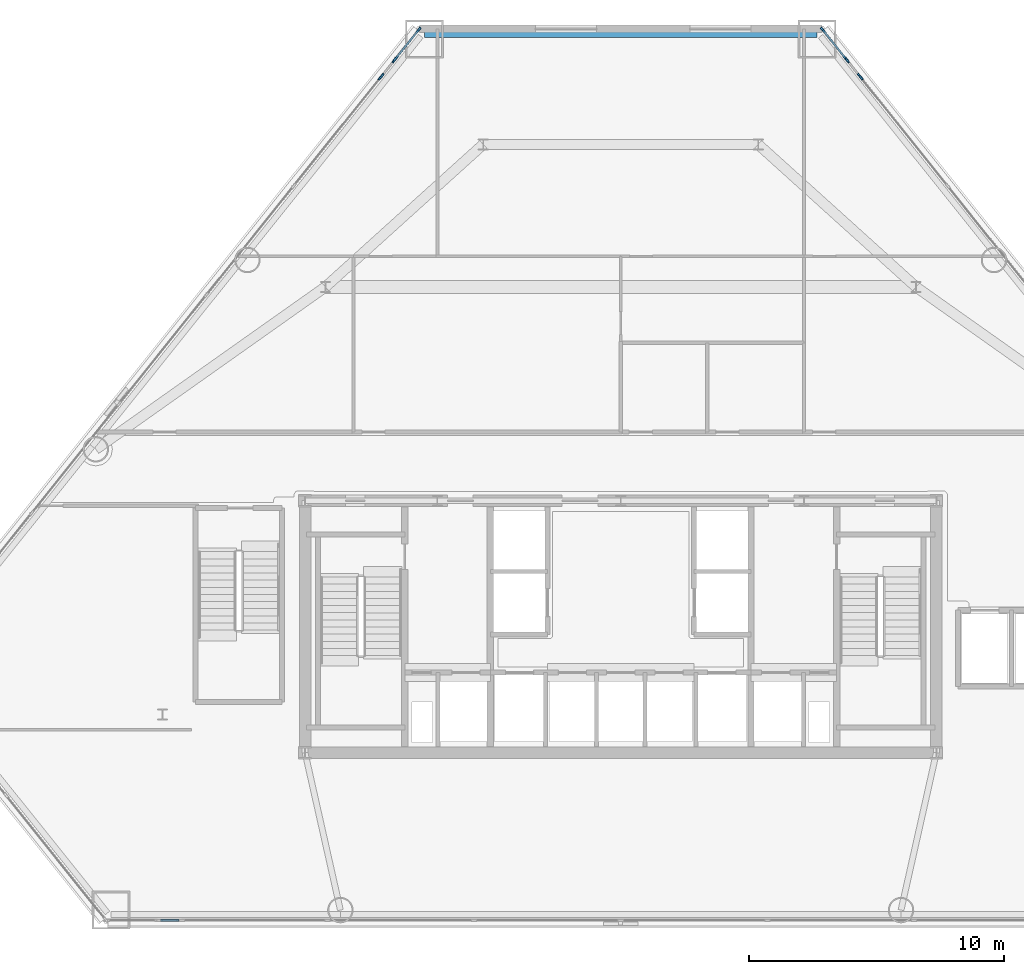
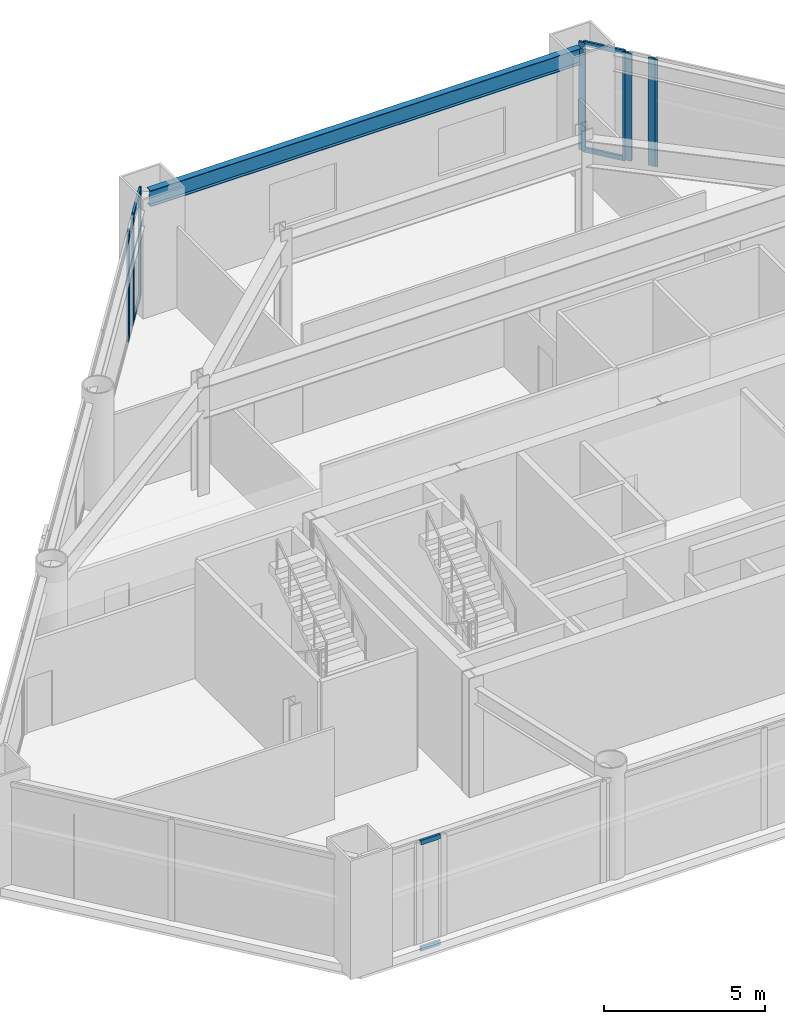
# One storey, part 6 of 13: 16 members, 1 beam, 7 elements without a shape of their own.
"""IFC4 building model written with IfcOpenShell, lengths in metres."""

from ifc_helpers import new_model, si_unit, direction, frame, origin, origin_2d, place, context, subcontext, project, spatial, rectangle, i_section, extrude, material, layer, layer_set, material_profile, profile_set, type_object, element, aggregate, save


model = new_model("IFC4")

# Units and contexts
model_context = context("Model", 3, precision=1e-05, world=origin(), true_north=direction((0.0, 1.0)))
body_context = subcontext(model_context, "Body", "Model", "MODEL_VIEW")
ifc_project = project(units=[si_unit("LENGTHUNIT", "METRE"), si_unit("AREAUNIT", "SQUARE_METRE"), si_unit("VOLUMEUNIT", "CUBIC_METRE"), si_unit("PLANEANGLEUNIT", "RADIAN"), si_unit("MASSUNIT", "GRAM", prefix="KILO")], contexts=[model_context])

# Site, building, storey
site_placement = place(None, origin())
site = spatial("IfcSite", under=ifc_project, at=site_placement, CompositionType="ELEMENT")
building_placement = place(site_placement, origin())
building = spatial("IfcBuilding", under=site, at=building_placement, Name="Talgorran Terracotta Tower", CompositionType="ELEMENT")
storey_placement = place(building_placement, frame((0.0, 0.0, 14.39990234375)))
storey = spatial("IfcBuildingStorey", under=building, at=storey_placement, Name="L03", CompositionType="ELEMENT", Elevation=14.39990234375)

# Beam
ifc_material_1 = material(Name="Steel S355 (300PLUS)", Category="steel")
ifc_material_profile_1 = material_profile(ifc_material_1, i_section(OverallWidth=0.22900390625, OverallDepth=0.611572265625, WebThickness=0.011962890625, FlangeThickness=0.01953125, at=origin_2d()), Name="610UB125")
ifc_profile_set_1 = profile_set([ifc_material_profile_1], Name="Steel S355 (300PLUS)")
beam_type = type_object("IfcBeamType", Name="BM_SP_610UB125", PredefinedType="SPANDREL", material=ifc_profile_set_1)
beam_placement = place(storey_placement, frame((7.714111328125, 14.115966796875, 3.794189453125), z_axis=(-1.0, 0.0, 0.0), x_axis=(0.0, -1.0, 0.0)))
element("IfcBeam", 1, at=beam_placement, inside=storey, type_object=beam_type, Name="L03 Perimeter Spandrel Beam MC5-MC6", PredefinedType="SPANDREL", context=body_context, shape_type="SweptSolid", body=[
    extrude(i_section(OverallWidth=0.22900390625, OverallDepth=0.611572265625, WebThickness=0.011962890625, FlangeThickness=0.01953125, at=origin_2d()), origin(), (0.0, 0.0, 1.0), 15.42822265625),
])

# Curtain wall, member
ifc_material_2 = material(Name="Terracotta and Low-E Glazing", Category="masonry")
ifc_layer = layer(ifc_material_2, 0.219970703125, Name="CW_SYS1_PODIUM")
ifc_layer_set = layer_set([ifc_layer], Name="Terracotta and Low-E Glazing")
curtain_wall_type = type_object("IfcCurtainWallType", Name="CW_SYS1_PODIUM", PredefinedType="NOTDEFINED", material=ifc_layer_set)
curtain_wall_1_placement = place(storey_placement, origin())
curtain_wall_1 = element("IfcCurtainWall", 2, at=curtain_wall_1_placement, inside=storey, type_object=curtain_wall_type, Name="CW-L03-F3C", PredefinedType="NOTDEFINED")
ifc_material_3 = material(Name="Architectural Aluminium 6063-T6", Category="aluminium")
ifc_material_profile_2 = material_profile(ifc_material_3, rectangle(XDim=0.074951171875, YDim=0.219970703125, at=origin_2d()), Name="CWM75X220")
ifc_profile_set_2 = profile_set([ifc_material_profile_2], Name="Architectural Aluminium 6063-T6")
member_type_1 = type_object("IfcMemberType", Name="MUL_75X220", PredefinedType="MULLION", material=ifc_profile_set_2)
member_1_placement = place(storey_placement, frame((9.43701171875, 12.425048828125, 0.0), z_axis=(0.0, 0.0, 1.0), x_axis=(-0.780531295105, -0.625116706993, 0.0)))
member_1 = element("IfcMember", 3, at=member_1_placement, type_object=member_type_1, Name="CW-L03-3C mullion 6", PredefinedType="MULLION", context=body_context, shape_type="SweptSolid", body=[
    extrude(rectangle(XDim=0.074951171875, YDim=0.219970703125, at=origin_2d()), origin(), (0.0, 0.0, 1.0), 4.10009765625),
])
aggregate(curtain_wall_1, [member_1])

# Curtain wall, members
curtain_wall_2_placement = place(storey_placement, origin())
curtain_wall_2 = element("IfcCurtainWall", 4, at=curtain_wall_2_placement, inside=storey, type_object=curtain_wall_type, Name="CW-L03-F3D", PredefinedType="NOTDEFINED")
member_2_placement = place(storey_placement, frame((9.3837890625, 12.4912109375, 0.0), z_axis=(0.0, 0.0, 1.0), x_axis=(-0.780512154045, -0.625140606095, 0.0)))
member_2 = element("IfcMember", 5, at=member_2_placement, type_object=member_type_1, Name="CW-L03-3D mullion 1", PredefinedType="MULLION", context=body_context, shape_type="SweptSolid", body=[
    extrude(rectangle(XDim=0.074951171875, YDim=0.219970703125, at=origin_2d()), origin(), (0.0, 0.0, 1.0), 4.10009765625),
])
member_3_placement = place(storey_placement, frame((8.900390625, 13.0947265625, 0.0), z_axis=(0.0, 0.0, 1.0), x_axis=(-0.780512154045, -0.625140606095, 0.0)))
member_3 = element("IfcMember", 6, at=member_3_placement, type_object=member_type_1, Name="CW-L03-3D mullion 2", PredefinedType="MULLION", context=body_context, shape_type="SweptSolid", body=[
    extrude(rectangle(XDim=0.074951171875, YDim=0.219970703125, at=origin_2d()), origin(), (0.0, 0.0, 1.0), 4.10009765625),
])
aggregate(curtain_wall_2, [member_2, member_3])

curtain_wall_3_placement = place(storey_placement, origin())
curtain_wall_3 = element("IfcCurtainWall", 7, at=curtain_wall_3_placement, inside=storey, type_object=curtain_wall_type, Name="CW-L03-F3E", PredefinedType="NOTDEFINED")
member_4_placement = place(storey_placement, frame((8.847412109375, 13.1611328125, 0.0), z_axis=(0.0, 0.0, 1.0), x_axis=(-0.780514537746, -0.62513762994, 0.0)))
member_4 = element("IfcMember", 8, at=member_4_placement, type_object=member_type_1, Name="CW-L03-3E mullion 1", PredefinedType="MULLION", context=body_context, shape_type="SweptSolid", body=[
    extrude(rectangle(XDim=0.074951171875, YDim=0.219970703125, at=origin_2d()), origin(), (0.0, 0.0, 1.0), 4.10009765625),
])
member_5_placement = place(storey_placement, frame((7.929931640625, 14.306640625, 0.0), z_axis=(0.0, 0.0, 1.0), x_axis=(-0.780514537746, -0.62513762994, 0.0)))
member_5 = element("IfcMember", 9, at=member_5_placement, type_object=member_type_1, Name="CW-L03-3E mullion 2", PredefinedType="MULLION", context=body_context, shape_type="SweptSolid", body=[
    extrude(rectangle(XDim=0.074951171875, YDim=0.219970703125, at=origin_2d()), origin(), (0.0, 0.0, 1.0), 4.10009765625),
])

curtain_wall_4_placement = place(storey_placement, origin())
curtain_wall_4 = element("IfcCurtainWall", 10, at=curtain_wall_4_placement, inside=storey, type_object=curtain_wall_type, Name="CW-L03-F5", PredefinedType="NOTDEFINED")
member_6_placement = place(storey_placement, frame((-7.929931640625, 14.306640625, 0.0), z_axis=(0.0, 0.0, 1.0), x_axis=(0.780514537746, -0.62513762994, 0.0)))
member_6 = element("IfcMember", 11, at=member_6_placement, type_object=member_type_1, Name="CW-L03-5 mullion 1", PredefinedType="MULLION", context=body_context, shape_type="SweptSolid", body=[
    extrude(rectangle(XDim=0.074951171875, YDim=0.219970703125, at=origin_2d()), origin(), (0.0, 0.0, 1.0), 4.10009765625),
])
member_7_placement = place(storey_placement, frame((-8.847412109375, 13.1611328125, 0.0), z_axis=(0.0, 0.0, 1.0), x_axis=(0.780514537746, -0.62513762994, 0.0)))
member_7 = element("IfcMember", 12, at=member_7_placement, type_object=member_type_1, Name="CW-L03-5 mullion 2", PredefinedType="MULLION", context=body_context, shape_type="SweptSolid", body=[
    extrude(rectangle(XDim=0.074951171875, YDim=0.219970703125, at=origin_2d()), origin(), (0.0, 0.0, 1.0), 4.10009765625),
])

curtain_wall_5_placement = place(storey_placement, origin())
curtain_wall_5 = element("IfcCurtainWall", 13, at=curtain_wall_5_placement, inside=storey, type_object=curtain_wall_type, Name="CW-L03-F5B", PredefinedType="NOTDEFINED")
member_8_placement = place(storey_placement, frame((-8.900390625, 13.0947265625, 0.0), z_axis=(0.0, 0.0, 1.0), x_axis=(0.780512154045, -0.625140606095, 0.0)))
member_8 = element("IfcMember", 14, at=member_8_placement, type_object=member_type_1, Name="CW-L03-5B mullion 1", PredefinedType="MULLION", context=body_context, shape_type="SweptSolid", body=[
    extrude(rectangle(XDim=0.074951171875, YDim=0.219970703125, at=origin_2d()), origin(), (0.0, 0.0, 1.0), 4.10009765625),
])
member_9_placement = place(storey_placement, frame((-9.3837890625, 12.4912109375, 0.0), z_axis=(0.0, 0.0, 1.0), x_axis=(0.780512154045, -0.625140606095, 0.0)))
member_9 = element("IfcMember", 15, at=member_9_placement, type_object=member_type_1, Name="CW-L03-5B mullion 2", PredefinedType="MULLION", context=body_context, shape_type="SweptSolid", body=[
    extrude(rectangle(XDim=0.074951171875, YDim=0.219970703125, at=origin_2d()), origin(), (0.0, 0.0, 1.0), 4.10009765625),
])
aggregate(curtain_wall_5, [member_8, member_9])

# Curtain wall, member
curtain_wall_6_placement = place(storey_placement, origin())
curtain_wall_6 = element("IfcCurtainWall", 16, at=curtain_wall_6_placement, inside=storey, type_object=curtain_wall_type, Name="CW-L03-F5C", PredefinedType="NOTDEFINED")
member_10_placement = place(storey_placement, frame((-9.43701171875, 12.425048828125, 0.0), z_axis=(0.0, 0.0, 1.0), x_axis=(0.780531295105, -0.625116706993, 0.0)))
member_10 = element("IfcMember", 17, at=member_10_placement, type_object=member_type_1, Name="CW-L03-5C mullion 1", PredefinedType="MULLION", context=body_context, shape_type="SweptSolid", body=[
    extrude(rectangle(XDim=0.074951171875, YDim=0.219970703125, at=origin_2d()), origin(), (0.0, 0.0, 1.0), 4.10009765625),
])
aggregate(curtain_wall_6, [member_10])

# Curtain wall, members
curtain_wall_7_placement = place(storey_placement, origin())
curtain_wall_7 = element("IfcCurtainWall", 18, at=curtain_wall_7_placement, inside=storey, type_object=curtain_wall_type, Name="CW-L03-F1B", PredefinedType="NOTDEFINED")
ifc_material_profile_3 = material_profile(ifc_material_3, rectangle(XDim=0.074951171875, YDim=0.179931640625, at=origin_2d()), Name="CWT75X180")
ifc_profile_set_3 = profile_set([ifc_material_profile_3], Name="Architectural Aluminium 6063-T6")
member_type_2 = type_object("IfcMemberType", Name="TRN_75X180", PredefinedType="USERDEFINED", material=ifc_profile_set_3)
member_11_placement = place(storey_placement, frame((-18.076416015625, -20.679931640625, 0.03759765625), z_axis=(1.0, 0.0, 0.0), x_axis=(0.0, 1.0, 0.0)))
member_11 = element("IfcMember", 19, at=member_11_placement, type_object=member_type_2, Name="CW-L03-1B transom 1.1", ObjectType="TRANSOM", PredefinedType="USERDEFINED", context=body_context, shape_type="SweptSolid", body=[
    extrude(rectangle(XDim=0.074951171875, YDim=0.179931640625, at=origin_2d()), origin(), (0.0, 0.0, 1.0), 0.712890625),
])
member_12_placement = place(storey_placement, frame((-18.076416015625, -20.679931640625, 4.0625), z_axis=(1.0, 0.0, 0.0), x_axis=(0.0, 1.0, 0.0)))
member_12 = element("IfcMember", 20, at=member_12_placement, type_object=member_type_2, Name="CW-L03-1B transom 1.2", ObjectType="TRANSOM", PredefinedType="USERDEFINED", context=body_context, shape_type="SweptSolid", body=[
    extrude(rectangle(XDim=0.074951171875, YDim=0.179931640625, at=origin_2d()), origin(), (0.0, 0.0, 1.0), 0.712890625),
])
aggregate(curtain_wall_7, [member_11, member_12])

# Member
member_13_placement = place(storey_placement, frame((8.823974609375, 13.1904296875, 0.03759765625), z_axis=(-0.625165285524, 0.780492386751, 0.0), x_axis=(-0.780492386751, -0.625165285524, 0.0)))
member_13 = element("IfcMember", 21, at=member_13_placement, type_object=member_type_2, Name="CW-L03-3E transom 1.1", ObjectType="TRANSOM", PredefinedType="USERDEFINED", context=body_context, shape_type="SweptSolid", body=[
    extrude(rectangle(XDim=0.074951171875, YDim=0.179931640625, at=origin_2d()), origin(), (0.0, 0.0, 1.0), 1.392578125),
])

member_14_placement = place(storey_placement, frame((8.823974609375, 13.1904296875, 4.0625), z_axis=(-0.625165285524, 0.780492386751, 0.0), x_axis=(-0.780492386751, -0.625165285524, 0.0)))
member_14 = element("IfcMember", 22, at=member_14_placement, type_object=member_type_2, Name="CW-L03-3E transom 1.2", ObjectType="TRANSOM", PredefinedType="USERDEFINED", context=body_context, shape_type="SweptSolid", body=[
    extrude(rectangle(XDim=0.074951171875, YDim=0.179931640625, at=origin_2d()), origin(), (0.0, 0.0, 1.0), 1.392578125),
])

aggregate(curtain_wall_3, [member_4, member_5, member_13, member_14])

member_15_placement = place(storey_placement, frame((-7.953369140625, 14.27734375, 0.03759765625), z_axis=(-0.625165285524, -0.780492386751, 0.0), x_axis=(0.780492386751, -0.625165285524, 0.0)))
member_15 = element("IfcMember", 23, at=member_15_placement, type_object=member_type_2, Name="CW-L03-5 transom 1.1", ObjectType="TRANSOM", PredefinedType="USERDEFINED", context=body_context, shape_type="SweptSolid", body=[
    extrude(rectangle(XDim=0.074951171875, YDim=0.179931640625, at=origin_2d()), origin(), (0.0, 0.0, 1.0), 1.392578125),
])

member_16_placement = place(storey_placement, frame((-7.953369140625, 14.27734375, 4.0625), z_axis=(-0.625165285524, -0.780492386751, 0.0), x_axis=(0.780492386751, -0.625165285524, 0.0)))
member_16 = element("IfcMember", 24, at=member_16_placement, type_object=member_type_2, Name="CW-L03-5 transom 1.2", ObjectType="TRANSOM", PredefinedType="USERDEFINED", context=body_context, shape_type="SweptSolid", body=[
    extrude(rectangle(XDim=0.074951171875, YDim=0.179931640625, at=origin_2d()), origin(), (0.0, 0.0, 1.0), 1.392578125),
])

aggregate(curtain_wall_4, [member_6, member_7, member_15, member_16])

save(model, "model.ifc")
